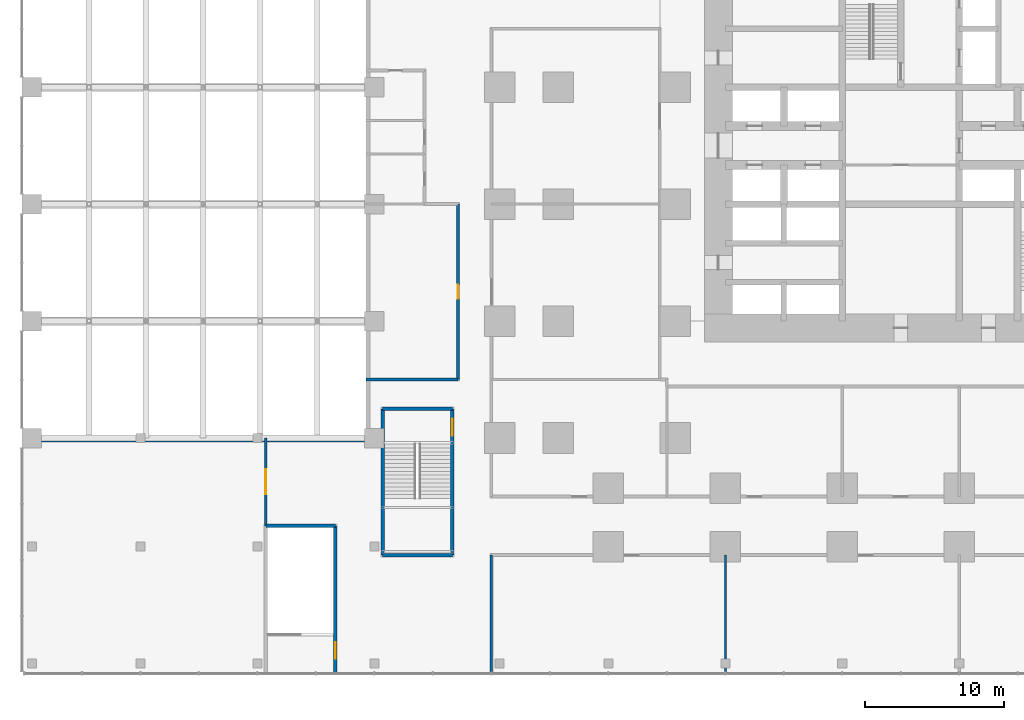
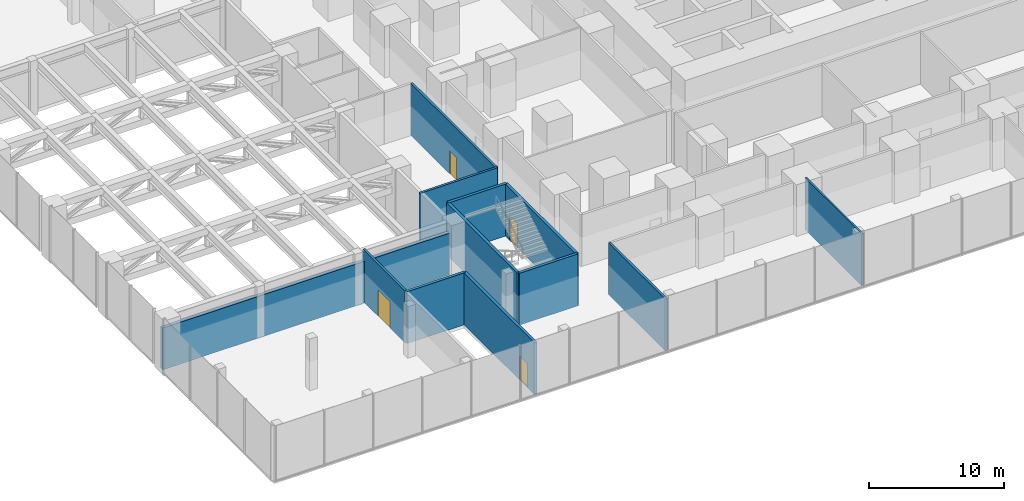
# One storey, part 25 of 33: 12 walls, 4 doors, 4 openings.
"""IFC4 building model written with IfcOpenShell, lengths in metres."""

import ifcopenshell
import ifcopenshell.guid

model = None  # the IFC model being written
_history = None  # IfcOwnerHistory: only IFC2X3 demands one
_inside = {}  # id of a spatial element -> (the spatial element, [elements in it])
_under = {}  # id of a project, library or spatial element -> (it, [spatial elements below it])
_declared = {}  # id of a project -> (the project, [libraries it declares])
_typed = {}  # id of a type object -> (the type object, [elements of that type])
_made_of = {}  # id of a material, layer set ... -> (it, [elements and type objects made of it])


def new_model(schema):
    """Start an empty IFC model of exactly this schema.

    Asked for "IFC4X3", IfcOpenShell would pick the latest addendum, in which some entities
    have other attributes; the version numbers below select the first issue.
    IFC2X3 requires an IfcOwnerHistory on every rooted entity: one is made here for all.
    """
    global model, _history
    if schema == "IFC4X3":
        model = ifcopenshell.file(schema_version=(4, 3, 0, 0))
    else:
        model = ifcopenshell.file(schema=schema)
    _inside.clear()
    _under.clear()
    _declared.clear()
    _typed.clear()
    _made_of.clear()
    _history = None
    if model.schema == "IFC2X3":
        org = make("IfcOrganization", Name="unknown")
        user = make(
            "IfcPersonAndOrganization",
            ThePerson=make("IfcPerson", FamilyName="unknown"),
            TheOrganization=org,
        )
        app = make(
            "IfcApplication",
            ApplicationDeveloper=org,
            Version="unknown",
            ApplicationFullName="unknown",
            ApplicationIdentifier="unknown",
        )
        _history = make(
            "IfcOwnerHistory",
            OwningUser=user,
            OwningApplication=app,
            ChangeAction="ADDED",
            CreationDate=0,
        )
    return model


def make(cls, **values):
    """One entity of the class cls with the attributes given. An attribute that is None is left unset."""
    return model.create_entity(
        cls, **{name: value for name, value in values.items() if value is not None}
    )


def rooted(cls, **values):
    """An entity with a GlobalId (a new one), such as an element, a storey or a relation."""
    return make(cls, GlobalId=ifcopenshell.guid.new(), OwnerHistory=_history, **values)


def si_unit(unit_type, name, prefix=None):
    """IfcSIUnit, for example si_unit("LENGTHUNIT", "METRE", prefix="MILLI")."""
    return make("IfcSIUnit", UnitType=unit_type, Prefix=prefix, Name=name)


def assignment(units):
    """IfcUnitAssignment: the units of a project."""
    return None if units is None else make("IfcUnitAssignment", Units=units)


def point(xyz):
    """IfcCartesianPoint."""
    return None if xyz is None else make("IfcCartesianPoint", Coordinates=xyz)


def direction(xyz):
    """IfcDirection."""
    return None if xyz is None else make("IfcDirection", DirectionRatios=xyz)


def frame(location, z_axis=None, x_axis=None):
    """IfcAxis2Placement3D, a coordinate frame: its origin and axes. An axis left out is left unset."""
    return make(
        "IfcAxis2Placement3D",
        Location=point(location),
        Axis=direction(z_axis),
        RefDirection=direction(x_axis),
    )


def frame_2d(location, x_axis=None):
    """IfcAxis2Placement2D, a coordinate frame in the plane: its origin and x axis."""
    return make(
        "IfcAxis2Placement2D", Location=point(location), RefDirection=direction(x_axis)
    )


def origin():
    """The frame at (0, 0, 0) with its axes left unset."""
    return frame((0.0, 0.0, 0.0))


def place(relative_to, where):
    """IfcLocalPlacement: puts the frame where relative to a parent placement (None: the world)."""
    return make(
        "IfcLocalPlacement", PlacementRelTo=relative_to, RelativePlacement=where
    )


def context(
    kind, dimensions, precision=None, world=None, true_north=None, identifier=None
):
    """IfcGeometricRepresentationContext, for example the 3D "Model" context."""
    return make(
        "IfcGeometricRepresentationContext",
        ContextIdentifier=identifier,
        ContextType=kind,
        CoordinateSpaceDimension=dimensions,
        Precision=precision,
        WorldCoordinateSystem=world,
        TrueNorth=true_north,
    )


def subcontext(parent, identifier, kind, view, scale=None):
    """IfcGeometricRepresentationSubContext, for example "Body" below "Model"."""
    return make(
        "IfcGeometricRepresentationSubContext",
        ContextIdentifier=identifier,
        ContextType=kind,
        ParentContext=parent,
        TargetScale=scale,
        TargetView=view,
    )


def project(units=None, contexts=None):
    """IfcProject with its units and contexts."""
    return rooted(
        "IfcProject",
        Name="project",
        RepresentationContexts=contexts,
        UnitsInContext=assignment(units),
    )


def spatial(cls, under=None, at=None, **own):
    """A site, building, storey or space (cls), placed at a placement, below another one or the project."""
    s = rooted(cls, ObjectPlacement=at, **own)
    if under is not None:
        _under.setdefault(under.id(), (under, []))[1].append(s)
    return s


def profile(cls, at=None, kind="AREA", **sizes):
    """A parametric profile (cls). Its sizes go by their IFC names, for example OverallWidth=200.0."""
    return make(cls, ProfileType=kind, Position=at, **sizes)


def rectangle(**sizes):
    """IfcRectangleProfileDef."""
    return profile("IfcRectangleProfileDef", **sizes)


def extrude(swept, where, along, depth):
    """IfcExtrudedAreaSolid: the profile swept, set in the frame where, extruded along a direction by depth."""
    return make(
        "IfcExtrudedAreaSolid",
        SweptArea=swept,
        Position=where,
        ExtrudedDirection=direction(along),
        Depth=depth,
    )


def shape(context_of_items, identifier, shape_type, items):
    """IfcShapeRepresentation: the items that make up one representation, for example the "Body"."""
    return make(
        "IfcShapeRepresentation",
        ContextOfItems=context_of_items,
        RepresentationIdentifier=identifier,
        RepresentationType=shape_type,
        Items=items,
    )


def material(Name=None, Category=None):
    """IfcMaterial."""
    return make("IfcMaterial", Name=Name, Category=Category)


def layer(
    of_material, thickness, ventilated=None, Name=None, Category=None, Priority=None
):
    """IfcMaterialLayer: one layer of a wall or slab, of a material (None: an air gap)."""
    return make(
        "IfcMaterialLayer",
        Material=of_material,
        LayerThickness=thickness,
        IsVentilated=ventilated,
        Name=Name,
        Category=Category,
        Priority=Priority,
    )


def layer_set(layers, Name=None):
    """IfcMaterialLayerSet."""
    return make("IfcMaterialLayerSet", MaterialLayers=layers, LayerSetName=Name)


def made_of(thing, what):
    """Note that an element or type object is made of a material, layer set ...; save() writes the relation."""
    if what is not None:
        _made_of.setdefault(what.id(), (what, []))[1].append(thing)
    return thing


def type_object(cls, material=None, **own):
    """A type object (cls), such as IfcWallType, which elements share."""
    return made_of(rooted(cls, **own), material)


def element(
    cls,
    number,
    at=None,
    inside=None,
    cuts=None,
    type_object=None,
    material=None,
    context=None,
    identifier="Body",
    shape_type=None,
    held_by="IfcProductDefinitionShape",
    body=None,
    shapes=None,
    **own,
):
    """One element of the class cls, such as IfcWall. Its Tag is "e" and its number.

    at: its placement. inside: the storey or other place that contains it. cuts: it is an
    opening in that element (IfcRelVoidsElement). A single representation is given by context,
    identifier, shape_type and body (its items); several are given by shapes. held_by: the class
    of the entity that holds the representations. save() writes the other relations.
    """
    e = rooted(cls, Tag="e%d" % number, ObjectPlacement=at, **own)
    if body is not None:
        shapes = [shape(context, identifier, shape_type, body)]
    if shapes is not None:
        e.Representation = make(held_by, Representations=shapes)
    if inside is not None:
        _inside.setdefault(inside.id(), (inside, []))[1].append(e)
    if cuts is not None:
        rooted(
            "IfcRelVoidsElement", RelatingBuildingElement=cuts, RelatedOpeningElement=e
        )
    if type_object is not None:
        _typed.setdefault(type_object.id(), (type_object, []))[1].append(e)
    return made_of(e, material)


def fill(opening, filler):
    """IfcRelFillsElement: the door or window that sits in an opening."""
    return rooted(
        "IfcRelFillsElement",
        RelatingOpeningElement=opening,
        RelatedBuildingElement=filler,
    )


def aggregate(whole, parts):
    """IfcRelAggregates: a whole, such as a stair, and the parts it consists of."""
    return rooted("IfcRelAggregates", RelatingObject=whole, RelatedObjects=parts)


def save(model, path):
    """Write the relations noted so far, then the file.

    IfcRelAggregates (storeys below a building ...), IfcRelContainedInSpatialStructure (elements
    in a storey), IfcRelDefinesByType, IfcRelAssociatesMaterial and IfcRelDeclares: one each for
    every whole, place, type object, material and project.
    """
    for whole, parts in _under.values():
        aggregate(whole, parts)
    for where, things in _inside.values():
        rooted(
            "IfcRelContainedInSpatialStructure",
            RelatedElements=things,
            RelatingStructure=where,
        )
    for kind, things in _typed.values():
        rooted("IfcRelDefinesByType", RelatedObjects=things, RelatingType=kind)
    for what, things in _made_of.values():
        rooted("IfcRelAssociatesMaterial", RelatedObjects=things, RelatingMaterial=what)
    for by, libraries in _declared.values():
        rooted("IfcRelDeclares", RelatingContext=by, RelatedDefinitions=libraries)
    model.write(path)


model = new_model("IFC4")

# Units and contexts
model_context = context("Model", 3, precision=1e-05, world=origin(), true_north=direction((0.0, 1.0)))
body_context = subcontext(model_context, "Body", "Model", "MODEL_VIEW")
ifc_project = project(units=[si_unit("LENGTHUNIT", "METRE"), si_unit("AREAUNIT", "SQUARE_METRE"), si_unit("VOLUMEUNIT", "CUBIC_METRE"), si_unit("PLANEANGLEUNIT", "RADIAN"), si_unit("MASSUNIT", "GRAM", prefix="KILO")], contexts=[model_context])

# Site, building, storey
site_placement = place(None, origin())
site = spatial("IfcSite", under=ifc_project, at=site_placement, CompositionType="ELEMENT")
building_placement = place(site_placement, origin())
building = spatial("IfcBuilding", under=site, at=building_placement, Name="Dunama Terrace Hotel", CompositionType="ELEMENT")
storey_placement = place(building_placement, frame((0.0, 0.0, 12.0)))
storey = spatial("IfcBuildingStorey", under=building, at=storey_placement, Name="L02", CompositionType="ELEMENT", Elevation=12.0)

# Walls
ifc_material_1 = material(Name="Concrete blockwork", Category="masonry")
ifc_layer_1 = layer(ifc_material_1, 0.300048828125)
ifc_layer_set_1 = layer_set([ifc_layer_1], Name="Ballroom enclosure wall 300")
wall_type_1 = type_object("IfcWallType", Name="Ballroom enclosure wall 300", PredefinedType="PARTITIONING", material=ifc_layer_set_1)
wall_1_placement = place(storey_placement, frame((-9.0, 8.25, 0.0), z_axis=(0.0, 0.0, 1.0), x_axis=(-1.0, 0.0, 0.0)))
element("IfcWall", 1, at=wall_1_placement, inside=storey, type_object=wall_type_1, Name="Ballroom enclosure wall", PredefinedType="PARTITIONING", context=body_context, shape_type="SweptSolid", body=[
    extrude(rectangle(XDim=24.60009765625, YDim=0.300048828125, at=frame_2d((12.300048828125, 0.0))), origin(), (0.0, 0.0, 1.0), 3.779052734375),
])
ifc_material_2 = material(Name="Concrete blockwork", Category="masonry")
ifc_layer_2 = layer(ifc_material_2, 0.199951171875)
ifc_layer_set_2 = layer_set([ifc_layer_2], Name="Corridor partition 200")
wall_type_2 = type_object("IfcWallType", Name="Corridor partition 200", PredefinedType="PARTITIONING", material=ifc_layer_set_2)
wall_2_placement = place(storey_placement, frame((0.0, -8.39990234375, 0.0), z_axis=(0.0, 0.0, 1.0), x_axis=(0.0, 1.0, 0.0)))
element("IfcWall", 2, at=wall_2_placement, inside=storey, type_object=wall_type_2, Name="Corridor partition 200 L02", PredefinedType="PARTITIONING", context=body_context, shape_type="SweptSolid", body=[
    extrude(rectangle(XDim=8.39990234375, YDim=0.199951171875, at=frame_2d((4.199951171875, 0.0))), origin(), (0.0, 0.0, 1.0), 4.699951171875),
])

# Wall, opening, door
wall_3_placement = place(storey_placement, frame((-16.199951171875, 8.39990234375, 0.0), z_axis=(0.0, 0.0, 1.0), x_axis=(0.0, -1.0, 0.0)))
wall_3 = element("IfcWall", 3, at=wall_3_placement, inside=storey, type_object=wall_type_2, Name="Corridor partition 200 L02", PredefinedType="PARTITIONING", context=body_context, shape_type="SweptSolid", body=[
    extrude(rectangle(XDim=6.2998046875, YDim=0.199951171875, at=frame_2d((3.14990234375, 0.0))), origin(), (0.0, 0.0, 1.0), 4.699951171875),
])
opening_1_placement = place(wall_3_placement, frame((2.25, 0.0, 0.0)))
opening_1 = element("IfcOpeningElement", 4, at=opening_1_placement, cuts=wall_3, Name="Opening L02-029", PredefinedType="OPENING", context=body_context, shape_type="SweptSolid", body=[
    extrude(rectangle(XDim=1.800048828125, YDim=2.39990234375, at=frame_2d((0.89990234375, 1.199951171875))), frame((0.0, 0.10986328125, 0.0), z_axis=(0.0, -1.0, 0.0), x_axis=(1.0, 0.0, 0.0)), (0.0, 0.0, 1.0), 0.219970703125),
])
ifc_material_3 = material(Name="Aluminium-framed glazed door", Category="aluminium")
door_type_1 = type_object("IfcDoorType", Name="Glazed double door 1800", OperationType="DOUBLE_DOOR_DOUBLE_SWING", PredefinedType="DOOR", material=ifc_material_3)
door_1_placement = place(opening_1_placement, origin())
door_1 = element("IfcDoor", 5, at=door_1_placement, inside=storey, type_object=door_type_1, Name="Door to business lounge L02-029, type D8", OperationType="DOUBLE_DOOR_DOUBLE_SWING", OverallHeight=2.39990234375, OverallWidth=1.800048828125, PredefinedType="DOOR", context=body_context, shape_type="SweptSolid", body=[
    extrude(rectangle(XDim=1.800048828125, YDim=2.39990234375, at=frame_2d((0.89990234375, 1.199951171875))), frame((0.0, 0.02490234375, 0.0), z_axis=(0.0, -1.0, 0.0), x_axis=(1.0, 0.0, 0.0)), (0.0, 0.0, 1.0), 0.050048828125),
])
fill(opening_1, door_1)

wall_4_placement = place(storey_placement, frame((-2.39990234375, 25.199951171875, 0.0), z_axis=(0.0, 0.0, 1.0), x_axis=(0.0, -1.0, 0.0)))
wall_4 = element("IfcWall", 6, at=wall_4_placement, inside=storey, type_object=wall_type_2, Name="Corridor partition 200 L02", PredefinedType="PARTITIONING", context=body_context, shape_type="SweptSolid", body=[
    extrude(rectangle(XDim=12.599853515625, YDim=0.199951171875, at=frame_2d((6.2998046875, 0.0))), origin(), (0.0, 0.0, 1.0), 4.699951171875),
])
opening_2_placement = place(wall_4_placement, frame((5.800048828125, 0.0, 0.0)))
opening_2 = element("IfcOpeningElement", 7, at=opening_2_placement, cuts=wall_4, Name="Opening L02-044", PredefinedType="OPENING", context=body_context, shape_type="SweptSolid", body=[
    extrude(rectangle(XDim=1.0, YDim=2.10009765625, at=frame_2d((0.5, 1.050048828125))), frame((0.0, 0.10986328125, 0.0), z_axis=(0.0, -1.0, 0.0), x_axis=(1.0, 0.0, 0.0)), (0.0, 0.0, 1.0), 0.219970703125),
])
ifc_material_4 = material(Name="Timber door with steel frame", Category="steel")
door_type_2 = type_object("IfcDoorType", Name="Service door 1000", OperationType="SINGLE_SWING_LEFT", PredefinedType="DOOR", material=ifc_material_4)
door_2_placement = place(opening_2_placement, origin())
door_2 = element("IfcDoor", 8, at=door_2_placement, inside=storey, type_object=door_type_2, Name="Door to business centre printing office L02-044, type D7", OperationType="SINGLE_SWING_RIGHT", OverallHeight=2.10009765625, OverallWidth=1.0, PredefinedType="DOOR", context=body_context, shape_type="SweptSolid", body=[
    extrude(rectangle(XDim=1.0, YDim=2.10009765625, at=frame_2d((0.5, 1.050048828125))), frame((0.0, 0.02490234375, 0.0), z_axis=(0.0, -1.0, 0.0), x_axis=(1.0, 0.0, 0.0)), (0.0, 0.0, 1.0), 0.050048828125),
])
fill(opening_2, door_2)

# Walls
wall_5_placement = place(storey_placement, frame((-2.39990234375, 12.60009765625, 0.0), z_axis=(0.0, 0.0, 1.0), x_axis=(-1.0, 0.0, 0.0)))
element("IfcWall", 9, at=wall_5_placement, inside=storey, type_object=wall_type_2, Name="Corridor partition 200 L02", PredefinedType="PARTITIONING", context=body_context, shape_type="SweptSolid", body=[
    extrude(rectangle(XDim=6.60009765625, YDim=0.199951171875, at=frame_2d((3.300048828125, 0.0))), origin(), (0.0, 0.0, 1.0), 4.699951171875),
])
ifc_material_5 = material(Name="Gypsum board partition", Category="masonry")
ifc_layer_3 = layer(ifc_material_5, 0.14990234375)
ifc_layer_set_3 = layer_set([ifc_layer_3], Name="Room partition 150")
wall_type_3 = type_object("IfcWallType", Name="Room partition 150", PredefinedType="PARTITIONING", material=ifc_layer_set_3)
wall_6_placement = place(storey_placement, frame((16.800048828125, -8.39990234375, 0.0), z_axis=(0.0, 0.0, 1.0), x_axis=(0.0, 1.0, 0.0)))
element("IfcWall", 10, at=wall_6_placement, inside=storey, type_object=wall_type_3, Name="Room partition 150 L02", PredefinedType="PARTITIONING", context=body_context, shape_type="SweptSolid", body=[
    extrude(rectangle(XDim=8.39990234375, YDim=0.14990234375, at=frame_2d((4.199951171875, 0.0))), origin(), (0.0, 0.0, 1.0), 4.699951171875),
])

# Wall, opening, door
ifc_material_6 = material(Name="Concrete blockwork", Category="masonry")
ifc_layer_4 = layer(ifc_material_6, 0.25)
ifc_layer_set_4 = layer_set([ifc_layer_4], Name="Stair enclosure wall 250")
wall_type_4 = type_object("IfcWallType", Name="Stair enclosure wall 250", PredefinedType="PARTITIONING", material=ifc_layer_set_4)
wall_7_placement = place(storey_placement, frame((-11.199951171875, -8.423095703125, 0.0), z_axis=(0.0, 0.0, 1.0), x_axis=(0.0, 1.0, 0.0)))
wall_7 = element("IfcWall", 11, at=wall_7_placement, inside=storey, type_object=wall_type_4, Name="Stair enclosure wall 250 L02", PredefinedType="PARTITIONING", context=body_context, shape_type="SweptSolid", body=[
    extrude(rectangle(XDim=10.523193359375, YDim=0.25, at=frame_2d((5.26171875, 0.0))), origin(), (0.0, 0.0, 1.0), 4.699951171875),
])
opening_3_placement = place(wall_7_placement, frame((0.972900390625, 0.0, 0.0)))
opening_3 = element("IfcOpeningElement", 12, at=opening_3_placement, cuts=wall_7, Name="Opening L02-004", PredefinedType="OPENING", context=body_context, shape_type="SweptSolid", body=[
    extrude(rectangle(XDim=1.199951171875, YDim=2.199951171875, at=frame_2d((0.60009765625, 1.10009765625))), frame((0.0, 0.135009765625, 0.0), z_axis=(0.0, -1.0, 0.0), x_axis=(1.0, 0.0, 0.0)), (0.0, 0.0, 1.0), 0.27001953125),
])
ifc_material_7 = material(Name="Timber door with steel frame", Category="steel")
door_type_3 = type_object("IfcDoorType", Name="Stair door 1200", OperationType="SINGLE_SWING_LEFT", PredefinedType="DOOR", material=ifc_material_7)
door_3_placement = place(opening_3_placement, origin())
door_3 = element("IfcDoor", 13, at=door_3_placement, inside=storey, type_object=door_type_3, Name="Stair door P2 L02-004, type D5", OperationType="SINGLE_SWING_LEFT", OverallHeight=2.199951171875, OverallWidth=1.199951171875, PredefinedType="DOOR", context=body_context, shape_type="SweptSolid", body=[
    extrude(rectangle(XDim=1.199951171875, YDim=2.199951171875, at=frame_2d((0.60009765625, 1.10009765625))), frame((0.0, 0.02490234375, 0.0), z_axis=(0.0, -1.0, 0.0), x_axis=(1.0, 0.0, 0.0)), (0.0, 0.0, 1.0), 0.050048828125),
])
fill(opening_3, door_3)

# Wall
wall_8_placement = place(storey_placement, frame((-7.800048828125, 0.0, 0.0), z_axis=(0.0, 0.0, 1.0), x_axis=(0.0, 1.0, 0.0)))
element("IfcWall", 14, at=wall_8_placement, inside=storey, type_object=wall_type_4, Name="Stair enclosure wall 250 L02", PredefinedType="PARTITIONING", context=body_context, shape_type="SweptSolid", body=[
    extrude(rectangle(XDim=10.5, YDim=0.25, at=frame_2d((5.25, 0.0))), origin(), (0.0, 0.0, 1.0), 4.699951171875),
])

# Wall, opening, door
wall_9_placement = place(storey_placement, frame((-2.800048828125, 0.0, 0.0), z_axis=(0.0, 0.0, 1.0), x_axis=(0.0, 1.0, 0.0)))
wall_9 = element("IfcWall", 15, at=wall_9_placement, inside=storey, type_object=wall_type_4, Name="Stair enclosure wall 250 L02", PredefinedType="PARTITIONING", context=body_context, shape_type="SweptSolid", body=[
    extrude(rectangle(XDim=10.5, YDim=0.25, at=frame_2d((5.25, 0.0))), origin(), (0.0, 0.0, 1.0), 4.699951171875),
])
opening_4_placement = place(wall_9_placement, frame((8.574951171875, 0.0, 0.0)))
opening_4 = element("IfcOpeningElement", 16, at=opening_4_placement, cuts=wall_9, Name="Opening L02-006", PredefinedType="OPENING", context=body_context, shape_type="SweptSolid", body=[
    extrude(rectangle(XDim=1.199951171875, YDim=2.199951171875, at=frame_2d((0.60009765625, 1.10009765625))), frame((0.0, 0.135009765625, 0.0), z_axis=(0.0, -1.0, 0.0), x_axis=(1.0, 0.0, 0.0)), (0.0, 0.0, 1.0), 0.27001953125),
])
door_4_placement = place(opening_4_placement, origin())
door_4 = element("IfcDoor", 17, at=door_4_placement, inside=storey, type_object=door_type_3, Name="Stair door P4 L02-006, type D5", OperationType="SINGLE_SWING_LEFT", OverallHeight=2.199951171875, OverallWidth=1.199951171875, PredefinedType="DOOR", context=body_context, shape_type="SweptSolid", body=[
    extrude(rectangle(XDim=1.199951171875, YDim=2.199951171875, at=frame_2d((0.60009765625, 1.10009765625))), frame((0.0, 0.02490234375, 0.0), z_axis=(0.0, -1.0, 0.0), x_axis=(1.0, 0.0, 0.0)), (0.0, 0.0, 1.0), 0.050048828125),
])
fill(opening_4, door_4)

# Walls
for number, where, z_axis, x_axis, name in (
    (18, (-7.800048828125, 0.0, 0.0), (0.0, 0.0, 1.0), (1.0, 0.0, 0.0), "Stair enclosure wall 250 L02"),
    (19, (-16.199951171875, 2.10009765625, 0.0), (0.0, 0.0, 1.0), (1.0, 0.0, 0.0), "Stair enclosure wall 250 L02"),
    (20, (-7.800048828125, 10.5, 0.0), (0.0, 0.0, 1.0), (1.0, 0.0, 0.0), "Stair enclosure wall 250 L02"),
):
    element("IfcWall", number, at=place(storey_placement, frame(where, z_axis=z_axis, x_axis=x_axis)), inside=storey, type_object=wall_type_4, Name=name, PredefinedType="PARTITIONING", context=body_context, shape_type="SweptSolid", body=[
        extrude(rectangle(XDim=5.0, YDim=0.25, at=frame_2d((2.5, 0.0))), origin(), (0.0, 0.0, 1.0), 4.699951171875),
    ])

save(model, "model.ifc")
